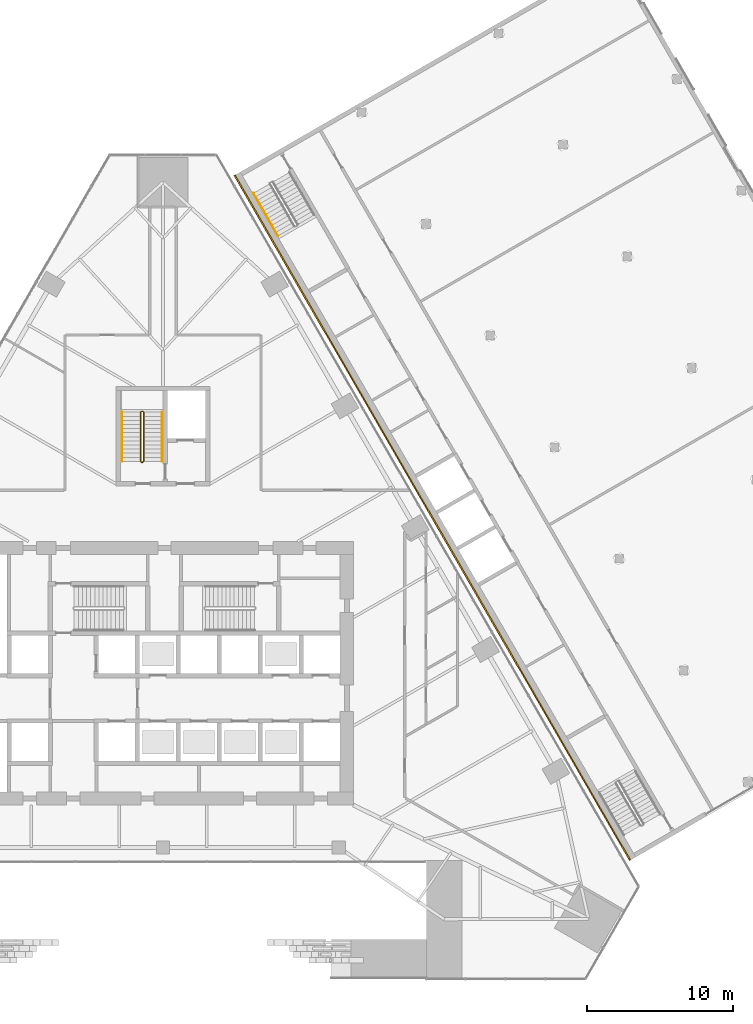
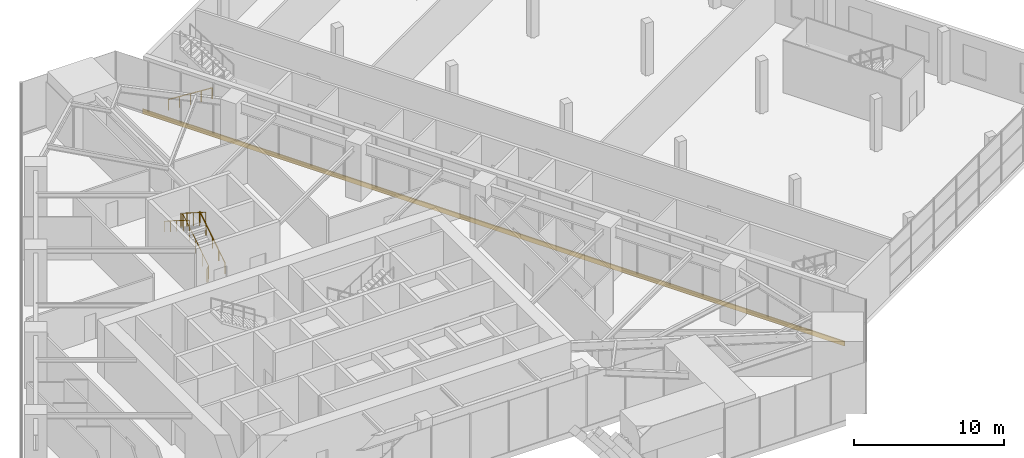
# One storey, part 25 of 29: 4 railings, 1 covering.
"""IFC4 building model written with IfcOpenShell, lengths in metres."""

from ifc_helpers import new_model, si_unit, direction, frame, origin, origin_2d, place, context, subcontext, project, spatial, rectangle, circle, extrude, material, layer, layer_set, type_object, element, save


model = new_model("IFC4")

# Units and contexts
model_context = context("Model", 3, precision=1e-05, world=origin(), true_north=direction((0.0, 1.0)))
body_context = subcontext(model_context, "Body", "Model", "MODEL_VIEW")
ifc_project = project(units=[si_unit("LENGTHUNIT", "METRE"), si_unit("AREAUNIT", "SQUARE_METRE"), si_unit("VOLUMEUNIT", "CUBIC_METRE"), si_unit("PLANEANGLEUNIT", "RADIAN"), si_unit("MASSUNIT", "GRAM", prefix="KILO")], contexts=[model_context])

# Site, building, storey
site_placement = place(None, origin())
site = spatial("IfcSite", under=ifc_project, at=site_placement, CompositionType="ELEMENT")
building_placement = place(site_placement, origin())
building = spatial("IfcBuilding", under=site, at=building_placement, Name="Firuza Gate Tower and Library", CompositionType="ELEMENT")
storey_placement = place(building_placement, frame((0.0, 0.0, 17.199951171875)))
storey = spatial("IfcBuildingStorey", under=building, at=storey_placement, Name="L03", CompositionType="ELEMENT", Elevation=17.199951171875)

# Railing
ifc_material_1 = material(Name="Steel S355", Category="steel")
railing_type_1 = type_object("IfcRailingType", Name="LIB HANDRAIL", PredefinedType="HANDRAIL", material=ifc_material_1)
railing_1_placement = place(storey_placement, frame((81.172607421875, 107.77783203125, 0.177001953125)))
element("IfcRailing", 1, at=railing_1_placement, inside=storey, type_object=railing_type_1, Name="L03 LIB-ST-A stair handrail 1", PredefinedType="HANDRAIL", context=body_context, shape_type="SweptSolid", body=[
    extrude(circle(Radius=0.02392578125, at=origin_2d()), frame((0.0, 0.0, 0.8759765625), z_axis=(0.422722088385, -0.732116328315, 0.534145783289), x_axis=(0.866007717299, 0.500030632641, 0.0)), (0.0, 0.0, 1.0), 3.974609375),
    extrude(circle(Radius=0.02099609375, at=origin_2d()), origin(), (0.0, 0.0, 1.0), 0.851806640625),
    extrude(circle(Radius=0.02099609375, at=origin_2d()), frame((0.419921875, -0.7275390625, 0.53076171875)), (0.0, 0.0, 1.0), 0.851806640625),
    extrude(circle(Radius=0.02099609375, at=origin_2d()), frame((0.840087890625, -1.455078125, 1.0615234375)), (0.0, 0.0, 1.0), 0.851806640625),
    extrude(circle(Radius=0.02099609375, at=origin_2d()), frame((1.26025390625, -2.182373046875, 1.59228515625)), (0.0, 0.0, 1.0), 0.851806640625),
    extrude(circle(Radius=0.02099609375, at=origin_2d()), frame((1.68017578125, -2.909912109375, 2.123046875)), (0.0, 0.0, 1.0), 0.851806640625),
])

# Covering
ifc_material_2 = material(Name="Stainless steel 316", Category="steel")
ifc_layer = layer(ifc_material_2, 0.10009765625)
ifc_layer_set = layer_set([ifc_layer], Name="LIB JOINT COVER")
covering_type = type_object("IfcCoveringType", Name="LIB JOINT COVER", PredefinedType="MOLDING", material=ifc_layer_set)
covering_placement = place(storey_placement, frame((93.3896484375, 85.6171875, -0.35986328125), z_axis=(0.0, 0.0, 1.0), x_axis=(-0.5, 0.866025403784, 0.0)))
element("IfcCovering", 2, at=covering_placement, inside=storey, type_object=covering_type, Name="Movement joint cover L03", PredefinedType="MOLDING", context=body_context, shape_type="SweptSolid", body=[
    extrude(rectangle(XDim=54.0, YDim=0.10009765625, at=origin_2d()), origin(), (0.0, 0.0, 1.0), 0.360107421875),
])

# Railings
ifc_material_3 = material(Name="Steel S355", Category="steel")
railing_type_2 = type_object("IfcRailingType", Name="Stair guard 1100", PredefinedType="GUARDRAIL", material=ifc_material_3)
railing_2_placement = place(storey_placement, frame((73.6298828125, 89.419921875, 0.0)))
element("IfcRailing", 3, at=railing_2_placement, inside=storey, type_object=railing_type_2, Name="L03 ST3 stair guard 1", PredefinedType="GUARDRAIL", context=body_context, shape_type="SweptSolid", body=[
    extrude(circle(Radius=0.02392578125, at=origin_2d()), frame((0.0, 0.0, 1.076171875), z_axis=(-1.0, 0.0, 0.0), x_axis=(0.0, -1.0, 0.0)), (0.0, 0.0, 1.0), 0.099853515625),
    extrude(circle(Radius=0.02392578125, at=origin_2d()), frame((-0.099853515625, 0.0, 1.076171875), z_axis=(0.631733381593, 0.210920754441, 0.74593925351), x_axis=(-0.316691178788, 0.948528701346, 0.0)), (0.0, 0.0, 1.0), 0.2373046875),
    extrude(circle(Radius=0.02392578125, at=origin_2d()), frame((0.050048828125, 0.050048828125, 1.2529296875), z_axis=(0.0, 0.845389635667, 0.534150132366), x_axis=(-1.0, 0.0, 0.0)), (0.0, 0.0, 1.0), 3.974609375),
    extrude(circle(Radius=0.02392578125, at=origin_2d()), frame((0.050048828125, 3.41015625, 3.3759765625), z_axis=(-0.708833529934, 0.705375805398, 0.0), x_axis=(-0.705375805398, -0.708833529934, 0.0)), (0.0, 0.0, 1.0), 0.070556640625),
    extrude(circle(Radius=0.02392578125, at=origin_2d()), frame((0.0, 3.4599609375, 3.3759765625), z_axis=(-1.0, 0.0, 0.0), x_axis=(0.0, -1.0, 0.0)), (0.0, 0.0, 1.0), 0.099853515625),
    extrude(circle(Radius=0.02392578125, at=origin_2d()), frame((-0.099853515625, 3.4599609375, 3.3759765625), z_axis=(-0.262633662168, -0.261352522353, 0.928826366204), x_axis=(0.705375805398, -0.708833529934, 0.0)), (0.0, 0.0, 1.0), 0.190673828125),
    extrude(circle(Radius=0.02392578125, at=origin_2d()), frame((-0.14990234375, 3.41015625, 3.55322265625), z_axis=(0.0, -0.845389635667, 0.534150132366), x_axis=(1.0, 0.0, 0.0)), (0.0, 0.0, 1.0), 3.974609375),
    extrude(circle(Radius=0.02099609375, at=origin_2d()), origin(), (0.0, 0.0, 1.0), 1.052001953125),
    extrude(circle(Radius=0.02099609375, at=origin_2d()), frame((-0.099853515625, 0.0, 0.0)), (0.0, 0.0, 1.0), 1.052001953125),
    extrude(circle(Radius=0.02099609375, at=origin_2d()), frame((0.050048828125, 0.050048828125, 0.177001953125)), (0.0, 0.0, 1.0), 1.052001953125),
    extrude(circle(Radius=0.02099609375, at=origin_2d()), frame((0.050048828125, 0.89013671875, 0.707763671875)), (0.0, 0.0, 1.0), 1.052001953125),
    extrude(circle(Radius=0.02099609375, at=origin_2d()), frame((0.050048828125, 1.72998046875, 1.238525390625)), (0.0, 0.0, 1.0), 1.052001953125),
    extrude(circle(Radius=0.02099609375, at=origin_2d()), frame((0.050048828125, 2.570068359375, 1.769287109375)), (0.0, 0.0, 1.0), 1.052001953125),
    extrude(circle(Radius=0.02099609375, at=origin_2d()), frame((0.050048828125, 3.41015625, 2.300048828125)), (0.0, 0.0, 1.0), 1.052001953125),
    extrude(circle(Radius=0.02099609375, at=origin_2d()), frame((0.0, 3.4599609375, 2.300048828125)), (0.0, 0.0, 1.0), 1.052001953125),
    extrude(circle(Radius=0.02099609375, at=origin_2d()), frame((-0.099853515625, 3.4599609375, 2.300048828125)), (0.0, 0.0, 1.0), 1.052001953125),
    extrude(circle(Radius=0.02099609375, at=origin_2d()), frame((-0.14990234375, 3.41015625, 2.47705078125)), (0.0, 0.0, 1.0), 1.052001953125),
    extrude(circle(Radius=0.02099609375, at=origin_2d()), frame((-0.14990234375, 2.570068359375, 3.0078125)), (0.0, 0.0, 1.0), 1.052001953125),
    extrude(circle(Radius=0.02099609375, at=origin_2d()), frame((-0.14990234375, 1.72998046875, 3.53857421875)), (0.0, 0.0, 1.0), 1.052001953125),
    extrude(circle(Radius=0.02099609375, at=origin_2d()), frame((-0.14990234375, 0.89013671875, 4.0693359375)), (0.0, 0.0, 1.0), 1.052001953125),
    extrude(circle(Radius=0.02099609375, at=origin_2d()), frame((-0.14990234375, 0.050048828125, 4.60009765625)), (0.0, 0.0, 1.0), 1.052001953125),
])
ifc_material_4 = material(Name="Steel S355", Category="steel")
railing_type_3 = type_object("IfcRailingType", Name="Stair handrail 900", PredefinedType="HANDRAIL", material=ifc_material_4)
railing_3_placement = place(storey_placement, frame((74.949951171875, 89.469970703125, 0.177001953125)))
element("IfcRailing", 4, at=railing_3_placement, inside=storey, type_object=railing_type_3, Name="L03 ST3 stair handrail 1", PredefinedType="HANDRAIL", context=body_context, shape_type="SweptSolid", body=[
    extrude(circle(Radius=0.02392578125, at=origin_2d()), frame((0.0, 0.0, 0.8759765625), z_axis=(0.0, 0.845389635667, 0.534150132366), x_axis=(-1.0, 0.0, 0.0)), (0.0, 0.0, 1.0), 3.974609375),
    extrude(circle(Radius=0.02099609375, at=origin_2d()), origin(), (0.0, 0.0, 1.0), 0.851806640625),
    extrude(circle(Radius=0.02099609375, at=origin_2d()), frame((0.0, 0.840087890625, 0.53076171875)), (0.0, 0.0, 1.0), 0.851806640625),
    extrude(circle(Radius=0.02099609375, at=origin_2d()), frame((0.0, 1.68017578125, 1.0615234375)), (0.0, 0.0, 1.0), 0.851806640625),
    extrude(circle(Radius=0.02099609375, at=origin_2d()), frame((0.0, 2.52001953125, 1.59228515625)), (0.0, 0.0, 1.0), 0.851806640625),
    extrude(circle(Radius=0.02099609375, at=origin_2d()), frame((0.0, 3.360107421875, 2.123046875)), (0.0, 0.0, 1.0), 0.851806640625),
])
railing_4_placement = place(storey_placement, frame((72.2099609375, 92.830078125, 2.47705078125)))
element("IfcRailing", 5, at=railing_4_placement, inside=storey, type_object=railing_type_3, Name="L03 ST3 stair handrail 2", PredefinedType="HANDRAIL", context=body_context, shape_type="SweptSolid", body=[
    extrude(circle(Radius=0.02392578125, at=origin_2d()), frame((0.0, 0.0, 0.8759765625), z_axis=(0.0, -0.845389635667, 0.534150132366), x_axis=(1.0, 0.0, 0.0)), (0.0, 0.0, 1.0), 3.974609375),
    extrude(circle(Radius=0.02099609375, at=origin_2d()), origin(), (0.0, 0.0, 1.0), 0.851806640625),
    extrude(circle(Radius=0.02099609375, at=origin_2d()), frame((0.0, -0.840087890625, 0.53076171875)), (0.0, 0.0, 1.0), 0.851806640625),
    extrude(circle(Radius=0.02099609375, at=origin_2d()), frame((0.0, -1.68017578125, 1.0615234375)), (0.0, 0.0, 1.0), 0.851806640625),
    extrude(circle(Radius=0.02099609375, at=origin_2d()), frame((0.0, -2.52001953125, 1.59228515625)), (0.0, 0.0, 1.0), 0.851806640625),
    extrude(circle(Radius=0.02099609375, at=origin_2d()), frame((0.0, -3.360107421875, 2.123046875)), (0.0, 0.0, 1.0), 0.851806640625),
])

save(model, "model.ifc")
